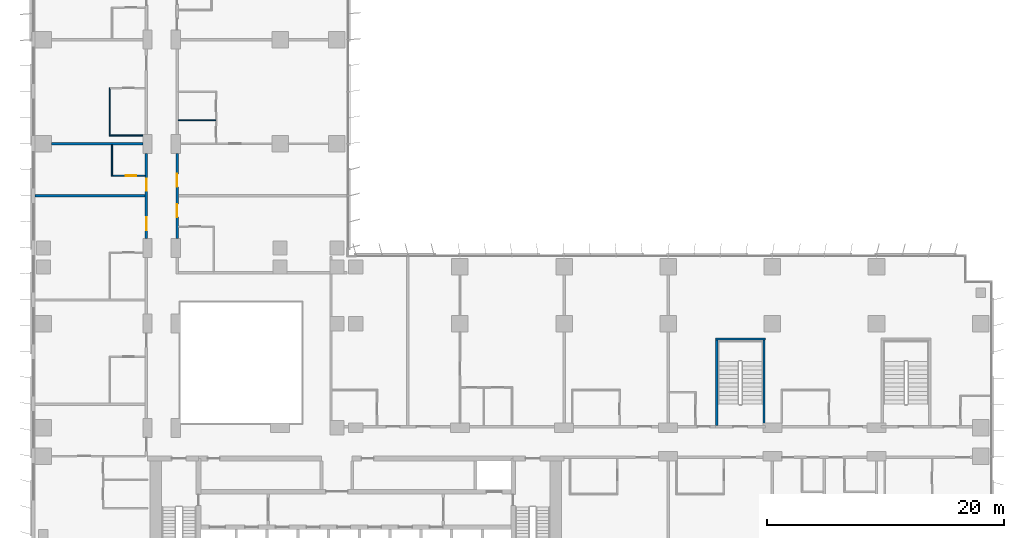
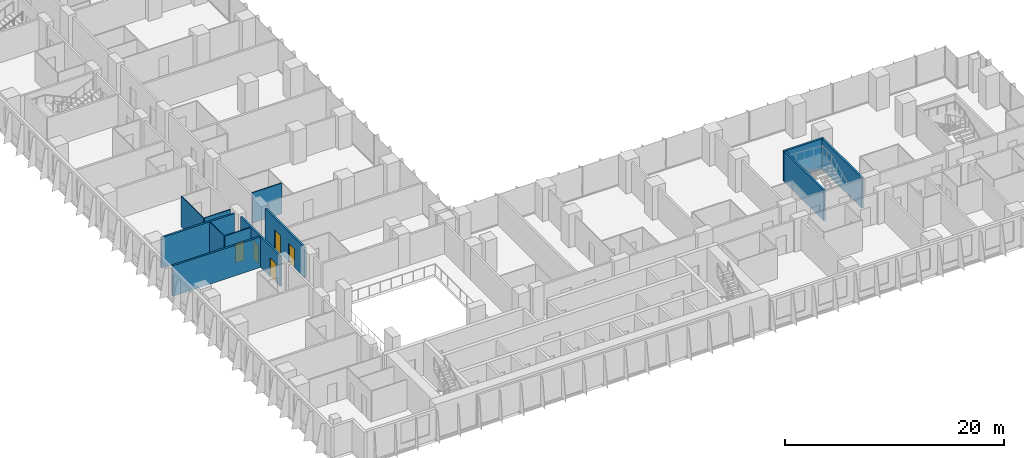
# One storey, part 15 of 24: 12 walls, 5 doors, 5 openings.
"""IFC4 building model written with IfcOpenShell, lengths in metres."""

import ifcopenshell
import ifcopenshell.guid

model = None  # the IFC model being written
_history = None  # IfcOwnerHistory: only IFC2X3 demands one
_inside = {}  # id of a spatial element -> (the spatial element, [elements in it])
_under = {}  # id of a project, library or spatial element -> (it, [spatial elements below it])
_declared = {}  # id of a project -> (the project, [libraries it declares])
_typed = {}  # id of a type object -> (the type object, [elements of that type])
_made_of = {}  # id of a material, layer set ... -> (it, [elements and type objects made of it])


def new_model(schema):
    """Start an empty IFC model of exactly this schema.

    Asked for "IFC4X3", IfcOpenShell would pick the latest addendum, in which some entities
    have other attributes; the version numbers below select the first issue.
    IFC2X3 requires an IfcOwnerHistory on every rooted entity: one is made here for all.
    """
    global model, _history
    if schema == "IFC4X3":
        model = ifcopenshell.file(schema_version=(4, 3, 0, 0))
    else:
        model = ifcopenshell.file(schema=schema)
    _inside.clear()
    _under.clear()
    _declared.clear()
    _typed.clear()
    _made_of.clear()
    _history = None
    if model.schema == "IFC2X3":
        org = make("IfcOrganization", Name="unknown")
        user = make(
            "IfcPersonAndOrganization",
            ThePerson=make("IfcPerson", FamilyName="unknown"),
            TheOrganization=org,
        )
        app = make(
            "IfcApplication",
            ApplicationDeveloper=org,
            Version="unknown",
            ApplicationFullName="unknown",
            ApplicationIdentifier="unknown",
        )
        _history = make(
            "IfcOwnerHistory",
            OwningUser=user,
            OwningApplication=app,
            ChangeAction="ADDED",
            CreationDate=0,
        )
    return model


def make(cls, **values):
    """One entity of the class cls with the attributes given. An attribute that is None is left unset."""
    return model.create_entity(
        cls, **{name: value for name, value in values.items() if value is not None}
    )


def rooted(cls, **values):
    """An entity with a GlobalId (a new one), such as an element, a storey or a relation."""
    return make(cls, GlobalId=ifcopenshell.guid.new(), OwnerHistory=_history, **values)


def si_unit(unit_type, name, prefix=None):
    """IfcSIUnit, for example si_unit("LENGTHUNIT", "METRE", prefix="MILLI")."""
    return make("IfcSIUnit", UnitType=unit_type, Prefix=prefix, Name=name)


def assignment(units):
    """IfcUnitAssignment: the units of a project."""
    return None if units is None else make("IfcUnitAssignment", Units=units)


def point(xyz):
    """IfcCartesianPoint."""
    return None if xyz is None else make("IfcCartesianPoint", Coordinates=xyz)


def direction(xyz):
    """IfcDirection."""
    return None if xyz is None else make("IfcDirection", DirectionRatios=xyz)


def frame(location, z_axis=None, x_axis=None):
    """IfcAxis2Placement3D, a coordinate frame: its origin and axes. An axis left out is left unset."""
    return make(
        "IfcAxis2Placement3D",
        Location=point(location),
        Axis=direction(z_axis),
        RefDirection=direction(x_axis),
    )


def frame_2d(location, x_axis=None):
    """IfcAxis2Placement2D, a coordinate frame in the plane: its origin and x axis."""
    return make(
        "IfcAxis2Placement2D", Location=point(location), RefDirection=direction(x_axis)
    )


def origin():
    """The frame at (0, 0, 0) with its axes left unset."""
    return frame((0.0, 0.0, 0.0))


def place(relative_to, where):
    """IfcLocalPlacement: puts the frame where relative to a parent placement (None: the world)."""
    return make(
        "IfcLocalPlacement", PlacementRelTo=relative_to, RelativePlacement=where
    )


def context(
    kind, dimensions, precision=None, world=None, true_north=None, identifier=None
):
    """IfcGeometricRepresentationContext, for example the 3D "Model" context."""
    return make(
        "IfcGeometricRepresentationContext",
        ContextIdentifier=identifier,
        ContextType=kind,
        CoordinateSpaceDimension=dimensions,
        Precision=precision,
        WorldCoordinateSystem=world,
        TrueNorth=true_north,
    )


def subcontext(parent, identifier, kind, view, scale=None):
    """IfcGeometricRepresentationSubContext, for example "Body" below "Model"."""
    return make(
        "IfcGeometricRepresentationSubContext",
        ContextIdentifier=identifier,
        ContextType=kind,
        ParentContext=parent,
        TargetScale=scale,
        TargetView=view,
    )


def project(units=None, contexts=None):
    """IfcProject with its units and contexts."""
    return rooted(
        "IfcProject",
        Name="project",
        RepresentationContexts=contexts,
        UnitsInContext=assignment(units),
    )


def spatial(cls, under=None, at=None, **own):
    """A site, building, storey or space (cls), placed at a placement, below another one or the project."""
    s = rooted(cls, ObjectPlacement=at, **own)
    if under is not None:
        _under.setdefault(under.id(), (under, []))[1].append(s)
    return s


def profile(cls, at=None, kind="AREA", **sizes):
    """A parametric profile (cls). Its sizes go by their IFC names, for example OverallWidth=200.0."""
    return make(cls, ProfileType=kind, Position=at, **sizes)


def rectangle(**sizes):
    """IfcRectangleProfileDef."""
    return profile("IfcRectangleProfileDef", **sizes)


def extrude(swept, where, along, depth):
    """IfcExtrudedAreaSolid: the profile swept, set in the frame where, extruded along a direction by depth."""
    return make(
        "IfcExtrudedAreaSolid",
        SweptArea=swept,
        Position=where,
        ExtrudedDirection=direction(along),
        Depth=depth,
    )


def shape(context_of_items, identifier, shape_type, items):
    """IfcShapeRepresentation: the items that make up one representation, for example the "Body"."""
    return make(
        "IfcShapeRepresentation",
        ContextOfItems=context_of_items,
        RepresentationIdentifier=identifier,
        RepresentationType=shape_type,
        Items=items,
    )


def material(Name=None, Category=None):
    """IfcMaterial."""
    return make("IfcMaterial", Name=Name, Category=Category)


def layer(
    of_material, thickness, ventilated=None, Name=None, Category=None, Priority=None
):
    """IfcMaterialLayer: one layer of a wall or slab, of a material (None: an air gap)."""
    return make(
        "IfcMaterialLayer",
        Material=of_material,
        LayerThickness=thickness,
        IsVentilated=ventilated,
        Name=Name,
        Category=Category,
        Priority=Priority,
    )


def layer_set(layers, Name=None):
    """IfcMaterialLayerSet."""
    return make("IfcMaterialLayerSet", MaterialLayers=layers, LayerSetName=Name)


def made_of(thing, what):
    """Note that an element or type object is made of a material, layer set ...; save() writes the relation."""
    if what is not None:
        _made_of.setdefault(what.id(), (what, []))[1].append(thing)
    return thing


def type_object(cls, material=None, **own):
    """A type object (cls), such as IfcWallType, which elements share."""
    return made_of(rooted(cls, **own), material)


def element(
    cls,
    number,
    at=None,
    inside=None,
    cuts=None,
    type_object=None,
    material=None,
    context=None,
    identifier="Body",
    shape_type=None,
    held_by="IfcProductDefinitionShape",
    body=None,
    shapes=None,
    **own,
):
    """One element of the class cls, such as IfcWall. Its Tag is "e" and its number.

    at: its placement. inside: the storey or other place that contains it. cuts: it is an
    opening in that element (IfcRelVoidsElement). A single representation is given by context,
    identifier, shape_type and body (its items); several are given by shapes. held_by: the class
    of the entity that holds the representations. save() writes the other relations.
    """
    e = rooted(cls, Tag="e%d" % number, ObjectPlacement=at, **own)
    if body is not None:
        shapes = [shape(context, identifier, shape_type, body)]
    if shapes is not None:
        e.Representation = make(held_by, Representations=shapes)
    if inside is not None:
        _inside.setdefault(inside.id(), (inside, []))[1].append(e)
    if cuts is not None:
        rooted(
            "IfcRelVoidsElement", RelatingBuildingElement=cuts, RelatedOpeningElement=e
        )
    if type_object is not None:
        _typed.setdefault(type_object.id(), (type_object, []))[1].append(e)
    return made_of(e, material)


def fill(opening, filler):
    """IfcRelFillsElement: the door or window that sits in an opening."""
    return rooted(
        "IfcRelFillsElement",
        RelatingOpeningElement=opening,
        RelatedBuildingElement=filler,
    )


def aggregate(whole, parts):
    """IfcRelAggregates: a whole, such as a stair, and the parts it consists of."""
    return rooted("IfcRelAggregates", RelatingObject=whole, RelatedObjects=parts)


def save(model, path):
    """Write the relations noted so far, then the file.

    IfcRelAggregates (storeys below a building ...), IfcRelContainedInSpatialStructure (elements
    in a storey), IfcRelDefinesByType, IfcRelAssociatesMaterial and IfcRelDeclares: one each for
    every whole, place, type object, material and project.
    """
    for whole, parts in _under.values():
        aggregate(whole, parts)
    for where, things in _inside.values():
        rooted(
            "IfcRelContainedInSpatialStructure",
            RelatedElements=things,
            RelatingStructure=where,
        )
    for kind, things in _typed.values():
        rooted("IfcRelDefinesByType", RelatedObjects=things, RelatingType=kind)
    for what, things in _made_of.values():
        rooted("IfcRelAssociatesMaterial", RelatedObjects=things, RelatingMaterial=what)
    for by, libraries in _declared.values():
        rooted("IfcRelDeclares", RelatingContext=by, RelatedDefinitions=libraries)
    model.write(path)


model = new_model("IFC4")

# Units and contexts
model_context = context("Model", 3, precision=1e-05, world=origin(), true_north=direction((0.0, 1.0)))
body_context = subcontext(model_context, "Body", "Model", "MODEL_VIEW")
ifc_project = project(units=[si_unit("LENGTHUNIT", "METRE"), si_unit("AREAUNIT", "SQUARE_METRE"), si_unit("VOLUMEUNIT", "CUBIC_METRE"), si_unit("PLANEANGLEUNIT", "RADIAN"), si_unit("MASSUNIT", "GRAM", prefix="KILO")], contexts=[model_context])

# Site, building, storey
site_placement = place(None, origin())
site = spatial("IfcSite", under=ifc_project, at=site_placement, CompositionType="ELEMENT")
building_placement = place(site_placement, origin())
building = spatial("IfcBuilding", under=site, at=building_placement, Name="Kemantara Hotel Tower", CompositionType="ELEMENT")
storey_placement = place(building_placement, frame((0.0, 0.0, 45.10009765625)))
storey = spatial("IfcBuildingStorey", under=building, at=storey_placement, Name="L09", CompositionType="ELEMENT", Elevation=45.10009765625)

# Wall, openings, doors
ifc_material_1 = material(Name="Gypsum board partition, steel studs and mineral wool, 200 mm", Category="steel")
ifc_layer_1 = layer(ifc_material_1, 0.199951171875)
ifc_layer_set_1 = layer_set([ifc_layer_1], Name="Gypsum board partition, steel studs and mineral wool, 200 mm")
wall_type_1 = type_object("IfcWallType", Name="CORRIDOR WALL 200", PredefinedType="PARTITIONING", material=ifc_layer_set_1)
wall_1_placement = place(storey_placement, frame((9.699951171875, 28.2001953125, 0.0), z_axis=(0.0, 0.0, 1.0), x_axis=(0.0, 1.0, 0.0)))
wall_1 = element("IfcWall", 1, at=wall_1_placement, inside=storey, type_object=wall_type_1, Name="CORRIDOR WALL 200 027", PredefinedType="PARTITIONING", context=body_context, shape_type="SweptSolid", body=[
    extrude(rectangle(XDim=7.19970703125, YDim=0.199951171875, at=frame_2d((3.599853515625, 0.0))), origin(), (0.0, 0.0, 1.0), 3.39990234375),
])
opening_1_placement = place(wall_1_placement, frame((0.699951171875, 0.0, 0.0)))
opening_1 = element("IfcOpeningElement", 2, at=opening_1_placement, cuts=wall_1, Name="Opening F02-031", PredefinedType="OPENING", context=body_context, shape_type="SweptSolid", body=[
    extrude(rectangle(XDim=1.10009765625, YDim=2.10009765625, at=frame_2d((0.550048828125, 1.050048828125))), frame((0.0, 0.10986328125, 0.0), z_axis=(0.0, -1.0, 0.0), x_axis=(1.0, 0.0, 0.0)), (0.0, 0.0, 1.0), 0.219970703125),
])
opening_2_placement = place(wall_1_placement, frame((4.0498046875, 0.0, 0.0)))
opening_2 = element("IfcOpeningElement", 3, at=opening_2_placement, cuts=wall_1, Name="Opening F02-033", PredefinedType="OPENING", context=body_context, shape_type="SweptSolid", body=[
    extrude(rectangle(XDim=1.0, YDim=2.10009765625, at=frame_2d((0.5, 1.050048828125))), frame((0.0, 0.10986328125, 0.0), z_axis=(0.0, -1.0, 0.0), x_axis=(1.0, 0.0, 0.0)), (0.0, 0.0, 1.0), 0.219970703125),
])
ifc_material_2 = material(Name="Hardwood veneer door leaf with steel frame", Category="steel")
door_type_1 = type_object("IfcDoorType", Name="GUEST ROOM DOOR 1000 X 2100 FD30S", OperationType="NOTDEFINED", PredefinedType="DOOR", material=ifc_material_2)
door_1_placement = place(opening_2_placement, origin())
door_1 = element("IfcDoor", 4, at=door_1_placement, inside=storey, type_object=door_type_1, Name="GUEST ROOM DOOR F02-033", OperationType="SINGLE_SWING_LEFT", OverallHeight=2.10009765625, OverallWidth=1.0, PredefinedType="DOOR", context=body_context, shape_type="SweptSolid", body=[
    extrude(rectangle(XDim=1.0, YDim=2.10009765625, at=frame_2d((0.5, 1.050048828125))), frame((0.0, 0.02490234375, 0.0), z_axis=(0.0, -1.0, 0.0), x_axis=(1.0, 0.0, 0.0)), (0.0, 0.0, 1.0), 0.050048828125),
])
fill(opening_2, door_1)
door_type_2 = type_object("IfcDoorType", Name="SUITE ENTRANCE DOOR 1100 X 2100 FD30S", OperationType="NOTDEFINED", PredefinedType="DOOR", material=ifc_material_2)
door_2_placement = place(opening_1_placement, origin())
door_2 = element("IfcDoor", 5, at=door_2_placement, inside=storey, type_object=door_type_2, Name="SUITE ENTRANCE DOOR F02-031", OperationType="SINGLE_SWING_RIGHT", OverallHeight=2.10009765625, OverallWidth=1.10009765625, PredefinedType="DOOR", context=body_context, shape_type="SweptSolid", body=[
    extrude(rectangle(XDim=1.10009765625, YDim=2.10009765625, at=frame_2d((0.550048828125, 1.050048828125))), frame((0.0, 0.02490234375, 0.0), z_axis=(0.0, -1.0, 0.0), x_axis=(1.0, 0.0, 0.0)), (0.0, 0.0, 1.0), 0.050048828125),
])
fill(opening_1, door_2)

wall_2_placement = place(storey_placement, frame((12.300048828125, 35.39990234375, 0.0), z_axis=(0.0, 0.0, 1.0), x_axis=(0.0, -1.0, 0.0)))
wall_2 = element("IfcWall", 6, at=wall_2_placement, inside=storey, type_object=wall_type_1, Name="CORRIDOR WALL 200 044", PredefinedType="PARTITIONING", context=body_context, shape_type="SweptSolid", body=[
    extrude(rectangle(XDim=7.19970703125, YDim=0.199951171875, at=frame_2d((3.599853515625, 0.0))), origin(), (0.0, 0.0, 1.0), 3.39990234375),
])
opening_3_placement = place(wall_2_placement, frame((4.2998046875, 0.0, 0.0)))
opening_3 = element("IfcOpeningElement", 7, at=opening_3_placement, cuts=wall_2, Name="Opening F02-045", PredefinedType="OPENING", context=body_context, shape_type="SweptSolid", body=[
    extrude(rectangle(XDim=1.10009765625, YDim=2.10009765625, at=frame_2d((0.550048828125, 1.050048828125))), frame((0.0, 0.10986328125, 0.0), z_axis=(0.0, -1.0, 0.0), x_axis=(1.0, 0.0, 0.0)), (0.0, 0.0, 1.0), 0.219970703125),
])
opening_4_placement = place(wall_2_placement, frame((1.75, 0.0, 0.0)))
opening_4 = element("IfcOpeningElement", 8, at=opening_4_placement, cuts=wall_2, Name="Opening F02-047", PredefinedType="OPENING", context=body_context, shape_type="SweptSolid", body=[
    extrude(rectangle(XDim=1.10009765625, YDim=2.10009765625, at=frame_2d((0.550048828125, 1.050048828125))), frame((0.0, 0.10986328125, 0.0), z_axis=(0.0, -1.0, 0.0), x_axis=(1.0, 0.0, 0.0)), (0.0, 0.0, 1.0), 0.219970703125),
])
door_3_placement = place(opening_3_placement, origin())
door_3 = element("IfcDoor", 9, at=door_3_placement, inside=storey, type_object=door_type_2, Name="SUITE ENTRANCE DOOR F02-045", OperationType="SINGLE_SWING_LEFT", OverallHeight=2.10009765625, OverallWidth=1.10009765625, PredefinedType="DOOR", context=body_context, shape_type="SweptSolid", body=[
    extrude(rectangle(XDim=1.10009765625, YDim=2.10009765625, at=frame_2d((0.550048828125, 1.050048828125))), frame((0.0, 0.02490234375, 0.0), z_axis=(0.0, -1.0, 0.0), x_axis=(1.0, 0.0, 0.0)), (0.0, 0.0, 1.0), 0.050048828125),
])
fill(opening_3, door_3)
door_4_placement = place(opening_4_placement, origin())
door_4 = element("IfcDoor", 10, at=door_4_placement, inside=storey, type_object=door_type_2, Name="SUITE ENTRANCE DOOR F02-047", OperationType="SINGLE_SWING_RIGHT", OverallHeight=2.10009765625, OverallWidth=1.10009765625, PredefinedType="DOOR", context=body_context, shape_type="SweptSolid", body=[
    extrude(rectangle(XDim=1.10009765625, YDim=2.10009765625, at=frame_2d((0.550048828125, 1.050048828125))), frame((0.0, 0.02490234375, 0.0), z_axis=(0.0, -1.0, 0.0), x_axis=(1.0, 0.0, 0.0)), (0.0, 0.0, 1.0), 0.050048828125),
])
fill(opening_4, door_4)

# Walls
ifc_material_3 = material(Name="Concrete fc 40 MPa", Category="concrete")
ifc_layer_2 = layer(ifc_material_3, 0.199951171875)
ifc_layer_set_2 = layer_set([ifc_layer_2], Name="Concrete fc 40 MPa")
wall_type_2 = type_object("IfcWallType", Name="Concrete stair wall 200 mm", PredefinedType="SHEAR", material=ifc_layer_set_2)
wall_3_placement = place(storey_placement, frame((57.800048828125, 19.699951171875, 0.0), z_axis=(0.0, 0.0, 1.0), x_axis=(1.0, 0.0, 0.0)))
element("IfcWall", 11, at=wall_3_placement, inside=storey, type_object=wall_type_2, Name="Stair ST3 enclosure wall N", PredefinedType="SHEAR", context=body_context, shape_type="SweptSolid", body=[
    extrude(rectangle(XDim=4.199951171875, YDim=0.199951171875, at=frame_2d((2.10009765625, 0.0))), origin(), (0.0, 0.0, 1.0), 3.39990234375),
])
for number, where, z_axis, x_axis, name in (
    (12, (57.89990234375, 12.39990234375, 0.0), (0.0, 0.0, 1.0), (0.0, 1.0, 0.0), "Stair ST3 enclosure wall W"),
    (13, (61.89990234375, 12.39990234375, 0.0), (0.0, 0.0, 1.0), (0.0, 1.0, 0.0), "Stair ST3 enclosure wall E"),
):
    element("IfcWall", number, at=place(storey_placement, frame(where, z_axis=z_axis, x_axis=x_axis)), inside=storey, type_object=wall_type_2, Name=name, PredefinedType="SHEAR", context=body_context, shape_type="SweptSolid", body=[
        extrude(rectangle(XDim=7.2001953125, YDim=0.199951171875, at=frame_2d((3.60009765625, 0.0))), origin(), (0.0, 0.0, 1.0), 3.39990234375),
    ])
ifc_layer_3 = layer(ifc_material_1, 0.199951171875)
ifc_layer_set_3 = layer_set([ifc_layer_3], Name="Gypsum board partition, steel studs and mineral wool, 200 mm")
wall_type_3 = type_object("IfcWallType", Name="GUEST ROOM PARTY WALL 200", PredefinedType="PARTITIONING", material=ifc_layer_set_3)
wall_4_placement = place(storey_placement, frame((0.31005859375, 31.800048828125, 0.0), z_axis=(0.0, 0.0, 1.0), x_axis=(1.0, 0.0, 0.0)))
element("IfcWall", 14, at=wall_4_placement, inside=storey, type_object=wall_type_3, Name="GUEST ROOM PARTY WALL 200 035", PredefinedType="PARTITIONING", context=body_context, shape_type="SweptSolid", body=[
    extrude(rectangle(XDim=9.2900390625, YDim=0.199951171875, at=frame_2d((4.64501953125, 0.0))), origin(), (0.0, 0.0, 1.0), 3.39990234375),
])
wall_5_placement = place(storey_placement, frame((1.7001953125, 36.199951171875, 0.0), z_axis=(0.0, 0.0, 1.0), x_axis=(1.0, 0.0, 0.0)))
element("IfcWall", 15, at=wall_5_placement, inside=storey, type_object=wall_type_3, Name="GUEST ROOM PARTY WALL 200 037", PredefinedType="PARTITIONING", context=body_context, shape_type="SweptSolid", body=[
    extrude(rectangle(XDim=7.69970703125, YDim=0.199951171875, at=frame_2d((3.849853515625, 0.0))), origin(), (0.0, 0.0, 1.0), 3.39990234375),
])
ifc_material_4 = material(Name="Gypsum board partition on steel studs, 100 mm", Category="steel")
ifc_layer_4 = layer(ifc_material_4, 0.10009765625)
ifc_layer_set_4 = layer_set([ifc_layer_4], Name="Gypsum board partition on steel studs, 100 mm")
wall_type_4 = type_object("IfcWallType", Name="ROOM PARTITION 100", PredefinedType="PARTITIONING", material=ifc_layer_set_4)
wall_6_placement = place(storey_placement, frame((6.60009765625, 36.85009765625, 0.0), z_axis=(0.0, 0.0, 1.0), x_axis=(0.0, 1.0, 0.0)))
element("IfcWall", 16, at=wall_6_placement, inside=storey, type_object=wall_type_4, Name="ROOM PARTITION 100 093", PredefinedType="PARTITIONING", context=body_context, shape_type="SweptSolid", body=[
    extrude(rectangle(XDim=4.099853515625, YDim=0.10009765625, at=frame_2d((2.0498046875, 0.0))), origin(), (0.0, 0.0, 1.0), 3.39990234375),
])
wall_7_placement = place(storey_placement, frame((6.800048828125, 33.449951171875, 0.0), z_axis=(0.0, 0.0, 1.0), x_axis=(0.0, 1.0, 0.0)))
element("IfcWall", 17, at=wall_7_placement, inside=storey, type_object=wall_type_4, Name="ROOM PARTITION 100 098", PredefinedType="PARTITIONING", context=body_context, shape_type="SweptSolid", body=[
    extrude(rectangle(XDim=2.650146484375, YDim=0.10009765625, at=frame_2d((1.3251953125, 0.0))), origin(), (0.0, 0.0, 1.0), 3.39990234375),
])

# Wall, opening, door
wall_8_placement = place(storey_placement, frame((6.85009765625, 33.5, 0.0), z_axis=(0.0, 0.0, 1.0), x_axis=(1.0, 0.0, 0.0)))
wall_8 = element("IfcWall", 18, at=wall_8_placement, inside=storey, type_object=wall_type_4, Name="ROOM PARTITION 100 100", PredefinedType="PARTITIONING", context=body_context, shape_type="SweptSolid", body=[
    extrude(rectangle(XDim=2.75, YDim=0.10009765625, at=frame_2d((1.375, 0.0))), origin(), (0.0, 0.0, 1.0), 3.39990234375),
])
opening_5_placement = place(wall_8_placement, frame((1.10009765625, 0.0, 0.0)))
opening_5 = element("IfcOpeningElement", 19, at=opening_5_placement, cuts=wall_8, Name="Opening F02-034", PredefinedType="OPENING", context=body_context, shape_type="SweptSolid", body=[
    extrude(rectangle(XDim=0.89990234375, YDim=2.10009765625, at=frame_2d((0.449951171875, 1.050048828125))), frame((0.0, 0.06005859375, 0.0), z_axis=(0.0, -1.0, 0.0), x_axis=(1.0, 0.0, 0.0)), (0.0, 0.0, 1.0), 0.1201171875),
])
door_type_3 = type_object("IfcDoorType", Name="BATHROOM DOOR 900 X 2100", OperationType="NOTDEFINED", PredefinedType="DOOR", material=ifc_material_2)
door_5_placement = place(opening_5_placement, origin())
door_5 = element("IfcDoor", 20, at=door_5_placement, inside=storey, type_object=door_type_3, Name="BATHROOM DOOR F02-034", OperationType="SINGLE_SWING_RIGHT", OverallHeight=2.10009765625, OverallWidth=0.89990234375, PredefinedType="DOOR", context=body_context, shape_type="SweptSolid", body=[
    extrude(rectangle(XDim=0.89990234375, YDim=2.10009765625, at=frame_2d((0.449951171875, 1.050048828125))), frame((0.0, 0.02490234375, 0.0), z_axis=(0.0, -1.0, 0.0), x_axis=(1.0, 0.0, 0.0)), (0.0, 0.0, 1.0), 0.050048828125),
])
fill(opening_5, door_5)

# Walls
wall_9_placement = place(storey_placement, frame((6.64990234375, 36.89990234375, 0.0), z_axis=(0.0, 0.0, 1.0), x_axis=(1.0, 0.0, 0.0)))
element("IfcWall", 21, at=wall_9_placement, inside=storey, type_object=wall_type_4, Name="ROOM PARTITION 100 101", PredefinedType="PARTITIONING", context=body_context, shape_type="SweptSolid", body=[
    extrude(rectangle(XDim=2.75, YDim=0.10009765625, at=frame_2d((1.375, 0.0))), origin(), (0.0, 0.0, 1.0), 3.39990234375),
])
wall_10_placement = place(storey_placement, frame((12.39990234375, 38.199951171875, 0.0), z_axis=(0.0, 0.0, 1.0), x_axis=(1.0, 0.0, 0.0)))
element("IfcWall", 22, at=wall_10_placement, inside=storey, type_object=wall_type_4, Name="ROOM PARTITION 100 117", PredefinedType="PARTITIONING", context=body_context, shape_type="SweptSolid", body=[
    extrude(rectangle(XDim=3.150146484375, YDim=0.10009765625, at=frame_2d((1.5751953125, 0.0))), origin(), (0.0, 0.0, 1.0), 3.39990234375),
])

save(model, "model.ifc")
